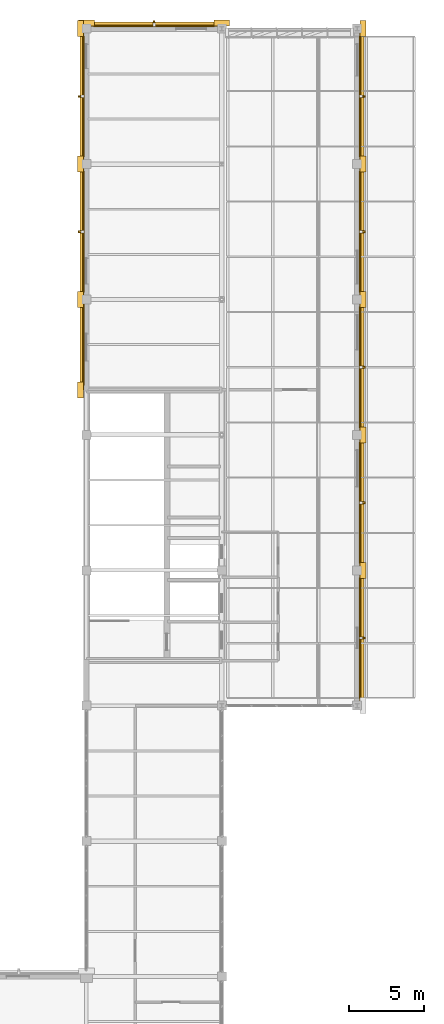
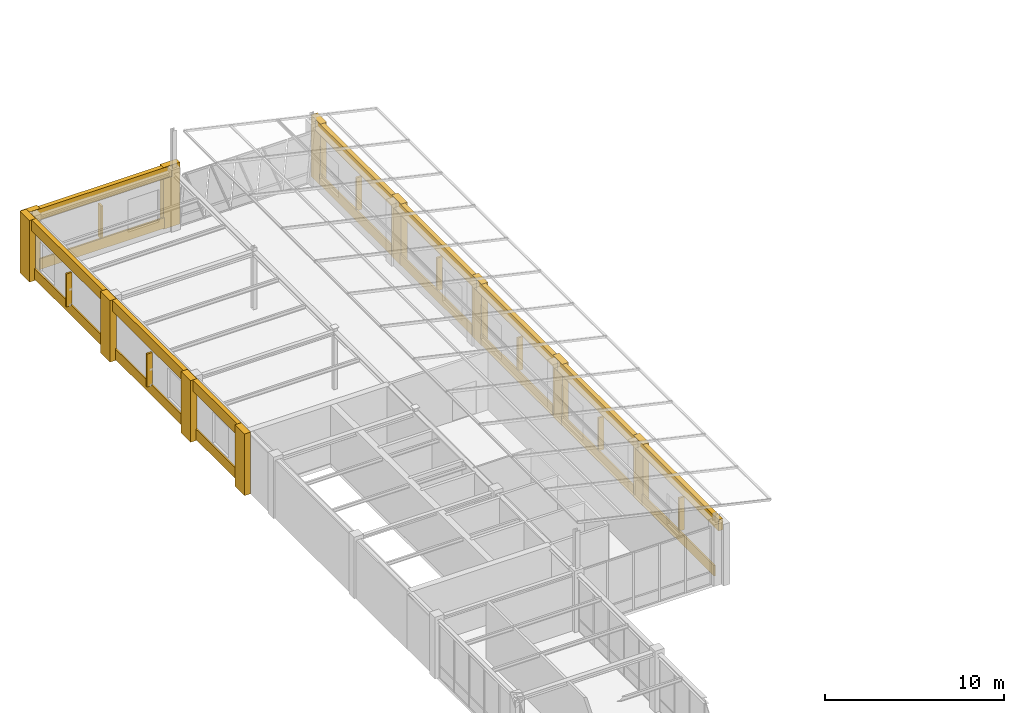
# One storey, part 96 of 97: 29 coverings, 8 shading devices.
"""IFC4 building model written with IfcOpenShell, lengths in metres."""

from ifc_helpers import new_model, si_unit, direction, frame, origin, origin_2d, place, context, subcontext, project, spatial, rectangle, extrude, material, layer, layer_set, type_object, element, save


model = new_model("IFC4")

# Units and contexts
model_context = context("Model", 3, precision=1e-05, world=origin(), true_north=direction((0.0, 1.0)))
body_context = subcontext(model_context, "Body", "Model", "MODEL_VIEW")
ifc_project = project(units=[si_unit("LENGTHUNIT", "METRE"), si_unit("AREAUNIT", "SQUARE_METRE"), si_unit("VOLUMEUNIT", "CUBIC_METRE"), si_unit("PLANEANGLEUNIT", "RADIAN"), si_unit("MASSUNIT", "GRAM", prefix="KILO")], contexts=[model_context])

# Site, building, storey
site_placement = place(None, origin())
site = spatial("IfcSite", under=ifc_project, at=site_placement, CompositionType="ELEMENT")
building_placement = place(site_placement, origin())
building = spatial("IfcBuilding", under=site, at=building_placement, Name="Lykobir Media Centre", CompositionType="ELEMENT")
storey_placement = place(building_placement, frame((0.0, 0.0, 23.39990234375)))
storey = spatial("IfcBuildingStorey", under=building, at=storey_placement, Name="L05", CompositionType="ELEMENT", Elevation=23.39990234375)

# Coverings
ifc_material_1 = material(Name="Glazed Turquoise Terracotta", Category="masonry")
ifc_layer_1 = layer(ifc_material_1, 0.0400390625, Name="Glazed Turquoise Terracotta")
ifc_layer_set_1 = layer_set([ifc_layer_1], Name="Glazed Turquoise Terracotta")
covering_type_1 = type_object("IfcCoveringType", Name="CLD-TERR", PredefinedType="CLADDING", material=ifc_layer_set_1)
for number, where, z_axis, x_axis, name in (
    (1, (45.196044921875, 67.5, 0.080078125), (0.0, 0.0, 1.0), (0.0, 1.0, 0.0), "Facade spandrel apron 782"),
    (2, (45.196044921875, 76.5, 0.080078125), (0.0, 0.0, 1.0), (0.0, 1.0, 0.0), "Facade spandrel apron 785"),
    (3, (45.196044921875, 85.5, 0.080078125), (0.0, 0.0, 1.0), (0.0, 1.0, 0.0), "Facade spandrel apron 788"),
    (4, (45.196044921875, 94.5, 0.080078125), (0.0, 0.0, 1.0), (0.0, 1.0, 0.0), "Facade spandrel apron 791"),
    (5, (45.196044921875, 103.5, 0.080078125), (0.0, 0.0, 1.0), (0.0, 1.0, 0.0), "Facade spandrel apron 794"),
    (6, (31.5, 108.196044921875, 0.080078125), (0.0, 0.0, 1.0), (-1.0, 0.0, 0.0), "Facade spandrel apron 798"),
):
    element("IfcCovering", number, at=place(storey_placement, frame(where, z_axis=z_axis, x_axis=x_axis)), inside=storey, type_object=covering_type_1, Name=name, PredefinedType="CLADDING", context=body_context, shape_type="SweptSolid", body=[
        extrude(rectangle(XDim=8.030029296875, YDim=0.10009765625, at=origin_2d()), origin(), (0.0, 0.0, 1.0), 0.719970703125),
    ])
covering_1_placement = place(storey_placement, frame((26.803955078125, 87.0, 0.080078125), z_axis=(0.0, 0.0, 1.0), x_axis=(0.0, -1.0, 0.0)))
element("IfcCovering", 7, at=covering_1_placement, inside=storey, type_object=covering_type_1, Name="Facade spandrel apron 802", PredefinedType="CLADDING", context=body_context, shape_type="SweptSolid", body=[
    extrude(rectangle(XDim=5.389892578125, YDim=0.10009765625, at=origin_2d()), origin(), (0.0, 0.0, 1.0), 0.719970703125),
])
for number, where, z_axis, x_axis, name in (
    (8, (26.803955078125, 94.5, 0.080078125), (0.0, 0.0, 1.0), (0.0, -1.0, 0.0), "Facade spandrel apron 805"),
    (9, (26.803955078125, 103.5, 0.080078125), (0.0, 0.0, 1.0), (0.0, -1.0, 0.0), "Facade spandrel apron 808"),
):
    element("IfcCovering", number, at=place(storey_placement, frame(where, z_axis=z_axis, x_axis=x_axis)), inside=storey, type_object=covering_type_1, Name=name, PredefinedType="CLADDING", context=body_context, shape_type="SweptSolid", body=[
        extrude(rectangle(XDim=8.030029296875, YDim=0.10009765625, at=origin_2d()), origin(), (0.0, 0.0, 1.0), 0.719970703125),
    ])
ifc_material_2 = material(Name="Honed Travertine Stone", Category="masonry")
ifc_layer_2 = layer(ifc_material_2, 0.050048828125, Name="Honed Travertine Stone")
ifc_layer_set_2 = layer_set([ifc_layer_2], Name="Honed Travertine Stone")
covering_type_2 = type_object("IfcCoveringType", Name="CLD-TRAV", PredefinedType="CLADDING", material=ifc_layer_set_2)
covering_2_placement = place(storey_placement, frame((45.3798828125, 72.0, 0.0), z_axis=(0.0, 0.0, 1.0), x_axis=(0.0, 1.0, 0.0)))
element("IfcCovering", 10, at=covering_2_placement, inside=storey, type_object=covering_type_2, Name="Travertine column pier 780", PredefinedType="CLADDING", context=body_context, shape_type="SweptSolid", body=[
    extrude(rectangle(XDim=1.06005859375, YDim=0.39990234375, at=origin_2d()), origin(), (0.0, 0.0, 1.0), 4.199951171875),
])
covering_3_placement = place(storey_placement, frame((45.300048828125, 67.5, 3.43994140625), z_axis=(0.0, 0.0, 1.0), x_axis=(0.0, 1.0, 0.0)))
element("IfcCovering", 11, at=covering_3_placement, inside=storey, type_object=covering_type_2, Name="Travertine spandrel stringcourse 781", PredefinedType="CLADDING", context=body_context, shape_type="SweptSolid", body=[
    extrude(rectangle(XDim=9.0, YDim=0.280029296875, at=origin_2d()), origin(), (0.0, 0.0, 1.0), 0.760009765625),
])
covering_4_placement = place(storey_placement, frame((45.3798828125, 81.0, 0.0), z_axis=(0.0, 0.0, 1.0), x_axis=(0.0, 1.0, 0.0)))
element("IfcCovering", 12, at=covering_4_placement, inside=storey, type_object=covering_type_2, Name="Travertine column pier 783", PredefinedType="CLADDING", context=body_context, shape_type="SweptSolid", body=[
    extrude(rectangle(XDim=1.06005859375, YDim=0.39990234375, at=origin_2d()), origin(), (0.0, 0.0, 1.0), 4.199951171875),
])
covering_5_placement = place(storey_placement, frame((45.300048828125, 76.5, 3.43994140625), z_axis=(0.0, 0.0, 1.0), x_axis=(0.0, 1.0, 0.0)))
element("IfcCovering", 13, at=covering_5_placement, inside=storey, type_object=covering_type_2, Name="Travertine spandrel stringcourse 784", PredefinedType="CLADDING", context=body_context, shape_type="SweptSolid", body=[
    extrude(rectangle(XDim=9.0, YDim=0.280029296875, at=origin_2d()), origin(), (0.0, 0.0, 1.0), 0.760009765625),
])
covering_6_placement = place(storey_placement, frame((45.3798828125, 90.0, 0.0), z_axis=(0.0, 0.0, 1.0), x_axis=(0.0, 1.0, 0.0)))
element("IfcCovering", 14, at=covering_6_placement, inside=storey, type_object=covering_type_2, Name="Travertine column pier 786", PredefinedType="CLADDING", context=body_context, shape_type="SweptSolid", body=[
    extrude(rectangle(XDim=1.06005859375, YDim=0.39990234375, at=origin_2d()), origin(), (0.0, 0.0, 1.0), 4.199951171875),
])
covering_7_placement = place(storey_placement, frame((45.300048828125, 85.5, 3.43994140625), z_axis=(0.0, 0.0, 1.0), x_axis=(0.0, 1.0, 0.0)))
element("IfcCovering", 15, at=covering_7_placement, inside=storey, type_object=covering_type_2, Name="Travertine spandrel stringcourse 787", PredefinedType="CLADDING", context=body_context, shape_type="SweptSolid", body=[
    extrude(rectangle(XDim=9.0, YDim=0.280029296875, at=origin_2d()), origin(), (0.0, 0.0, 1.0), 0.760009765625),
])
covering_8_placement = place(storey_placement, frame((45.3798828125, 99.0, 0.0), z_axis=(0.0, 0.0, 1.0), x_axis=(0.0, 1.0, 0.0)))
element("IfcCovering", 16, at=covering_8_placement, inside=storey, type_object=covering_type_2, Name="Travertine column pier 789", PredefinedType="CLADDING", context=body_context, shape_type="SweptSolid", body=[
    extrude(rectangle(XDim=1.06005859375, YDim=0.39990234375, at=origin_2d()), origin(), (0.0, 0.0, 1.0), 4.199951171875),
])
covering_9_placement = place(storey_placement, frame((45.300048828125, 94.5, 3.43994140625), z_axis=(0.0, 0.0, 1.0), x_axis=(0.0, 1.0, 0.0)))
element("IfcCovering", 17, at=covering_9_placement, inside=storey, type_object=covering_type_2, Name="Travertine spandrel stringcourse 790", PredefinedType="CLADDING", context=body_context, shape_type="SweptSolid", body=[
    extrude(rectangle(XDim=9.0, YDim=0.280029296875, at=origin_2d()), origin(), (0.0, 0.0, 1.0), 0.760009765625),
])
covering_10_placement = place(storey_placement, frame((45.3798828125, 108.0, 0.0), z_axis=(0.0, 0.0, 1.0), x_axis=(0.0, 1.0, 0.0)))
element("IfcCovering", 18, at=covering_10_placement, inside=storey, type_object=covering_type_2, Name="Travertine column pier 792", PredefinedType="CLADDING", context=body_context, shape_type="SweptSolid", body=[
    extrude(rectangle(XDim=1.06005859375, YDim=0.39990234375, at=origin_2d()), origin(), (0.0, 0.0, 1.0), 4.199951171875),
])
covering_11_placement = place(storey_placement, frame((45.300048828125, 103.5, 3.43994140625), z_axis=(0.0, 0.0, 1.0), x_axis=(0.0, 1.0, 0.0)))
element("IfcCovering", 19, at=covering_11_placement, inside=storey, type_object=covering_type_2, Name="Travertine spandrel stringcourse 793", PredefinedType="CLADDING", context=body_context, shape_type="SweptSolid", body=[
    extrude(rectangle(XDim=9.0, YDim=0.280029296875, at=origin_2d()), origin(), (0.0, 0.0, 1.0), 0.760009765625),
])
for number, where, z_axis, x_axis, name in (
    (20, (36.0, 108.3798828125, 0.0), (0.0, 0.0, 1.0), (-1.0, 0.0, 0.0), "Travertine column pier 795"),
    (21, (27.0, 108.3798828125, 0.0), (0.0, 0.0, 1.0), (-1.0, 0.0, 0.0), "Travertine column pier 796"),
):
    element("IfcCovering", number, at=place(storey_placement, frame(where, z_axis=z_axis, x_axis=x_axis)), inside=storey, type_object=covering_type_2, Name=name, PredefinedType="CLADDING", context=body_context, shape_type="SweptSolid", body=[
        extrude(rectangle(XDim=1.06005859375, YDim=0.39990234375, at=origin_2d()), origin(), (0.0, 0.0, 1.0), 4.199951171875),
    ])
covering_12_placement = place(storey_placement, frame((31.5, 108.300048828125, 3.43994140625), z_axis=(0.0, 0.0, 1.0), x_axis=(-1.0, 0.0, 0.0)))
element("IfcCovering", 22, at=covering_12_placement, inside=storey, type_object=covering_type_2, Name="Travertine spandrel stringcourse 797", PredefinedType="CLADDING", context=body_context, shape_type="SweptSolid", body=[
    extrude(rectangle(XDim=9.0, YDim=0.280029296875, at=origin_2d()), origin(), (0.0, 0.0, 1.0), 0.760009765625),
])
for number, where, z_axis, x_axis, name in (
    (23, (26.6201171875, 90.0, 0.0), (0.0, 0.0, 1.0), (0.0, -1.0, 0.0), "Travertine column pier 799"),
    (24, (26.6201171875, 84.0, 0.0), (0.0, 0.0, 1.0), (0.0, -1.0, 0.0), "Travertine column pier 800"),
):
    element("IfcCovering", number, at=place(storey_placement, frame(where, z_axis=z_axis, x_axis=x_axis)), inside=storey, type_object=covering_type_2, Name=name, PredefinedType="CLADDING", context=body_context, shape_type="SweptSolid", body=[
        extrude(rectangle(XDim=1.06005859375, YDim=0.39990234375, at=origin_2d()), origin(), (0.0, 0.0, 1.0), 4.199951171875),
    ])
covering_13_placement = place(storey_placement, frame((26.699951171875, 87.0, 3.43994140625), z_axis=(0.0, 0.0, 1.0), x_axis=(0.0, -1.0, 0.0)))
element("IfcCovering", 25, at=covering_13_placement, inside=storey, type_object=covering_type_2, Name="Travertine spandrel stringcourse 801", PredefinedType="CLADDING", context=body_context, shape_type="SweptSolid", body=[
    extrude(rectangle(XDim=6.0, YDim=0.280029296875, at=origin_2d()), origin(), (0.0, 0.0, 1.0), 0.760009765625),
])
covering_14_placement = place(storey_placement, frame((26.6201171875, 99.0, 0.0), z_axis=(0.0, 0.0, 1.0), x_axis=(0.0, -1.0, 0.0)))
element("IfcCovering", 26, at=covering_14_placement, inside=storey, type_object=covering_type_2, Name="Travertine column pier 803", PredefinedType="CLADDING", context=body_context, shape_type="SweptSolid", body=[
    extrude(rectangle(XDim=1.06005859375, YDim=0.39990234375, at=origin_2d()), origin(), (0.0, 0.0, 1.0), 4.199951171875),
])
covering_15_placement = place(storey_placement, frame((26.699951171875, 94.5, 3.43994140625), z_axis=(0.0, 0.0, 1.0), x_axis=(0.0, -1.0, 0.0)))
element("IfcCovering", 27, at=covering_15_placement, inside=storey, type_object=covering_type_2, Name="Travertine spandrel stringcourse 804", PredefinedType="CLADDING", context=body_context, shape_type="SweptSolid", body=[
    extrude(rectangle(XDim=9.0, YDim=0.280029296875, at=origin_2d()), origin(), (0.0, 0.0, 1.0), 0.760009765625),
])
covering_16_placement = place(storey_placement, frame((26.6201171875, 108.0, 0.0), z_axis=(0.0, 0.0, 1.0), x_axis=(0.0, -1.0, 0.0)))
element("IfcCovering", 28, at=covering_16_placement, inside=storey, type_object=covering_type_2, Name="Travertine column pier 806", PredefinedType="CLADDING", context=body_context, shape_type="SweptSolid", body=[
    extrude(rectangle(XDim=1.06005859375, YDim=0.39990234375, at=origin_2d()), origin(), (0.0, 0.0, 1.0), 4.199951171875),
])
covering_17_placement = place(storey_placement, frame((26.699951171875, 103.5, 3.43994140625), z_axis=(0.0, 0.0, 1.0), x_axis=(0.0, -1.0, 0.0)))
element("IfcCovering", 29, at=covering_17_placement, inside=storey, type_object=covering_type_2, Name="Travertine spandrel stringcourse 807", PredefinedType="CLADDING", context=body_context, shape_type="SweptSolid", body=[
    extrude(rectangle(XDim=9.0, YDim=0.280029296875, at=origin_2d()), origin(), (0.0, 0.0, 1.0), 0.760009765625),
])

# Shading devices
shading_device_type = type_object("IfcShadingDeviceType", Name="SHD-FIN", PredefinedType="USERDEFINED", material=ifc_material_1)
for number, where, z_axis, x_axis, name in (
    (30, (45.35009765625, 67.5, 0.72509765625), (0.0, 0.0, 1.0), (0.0, 1.0, 0.0), "Terracotta shading fin 94"),
    (31, (45.35009765625, 76.5, 0.72509765625), (0.0, 0.0, 1.0), (0.0, 1.0, 0.0), "Terracotta shading fin 95"),
    (32, (45.35009765625, 85.5, 0.72509765625), (0.0, 0.0, 1.0), (0.0, 1.0, 0.0), "Terracotta shading fin 96"),
    (33, (45.35009765625, 94.5, 0.72509765625), (0.0, 0.0, 1.0), (0.0, 1.0, 0.0), "Terracotta shading fin 97"),
    (34, (45.35009765625, 103.5, 0.72509765625), (0.0, 0.0, 1.0), (0.0, 1.0, 0.0), "Terracotta shading fin 98"),
    (35, (31.5, 108.35009765625, 0.72509765625), (0.0, 0.0, 1.0), (-1.0, 0.0, 0.0), "Terracotta shading fin 99"),
    (36, (26.64990234375, 94.5, 0.72509765625), (0.0, 0.0, 1.0), (0.0, -1.0, 0.0), "Terracotta shading fin 100"),
    (37, (26.64990234375, 103.5, 0.72509765625), (0.0, 0.0, 1.0), (0.0, -1.0, 0.0), "Terracotta shading fin 101"),
):
    element("IfcShadingDevice", number, at=place(storey_placement, frame(where, z_axis=z_axis, x_axis=x_axis)), inside=storey, type_object=shading_device_type, Name=name, ObjectType="FIN", PredefinedType="USERDEFINED", context=body_context, shape_type="SweptSolid", body=[
        extrude(rectangle(XDim=0.1201171875, YDim=0.35009765625, at=origin_2d()), origin(), (0.0, 0.0, 1.0), 2.25),
    ])

save(model, "model.ifc")
